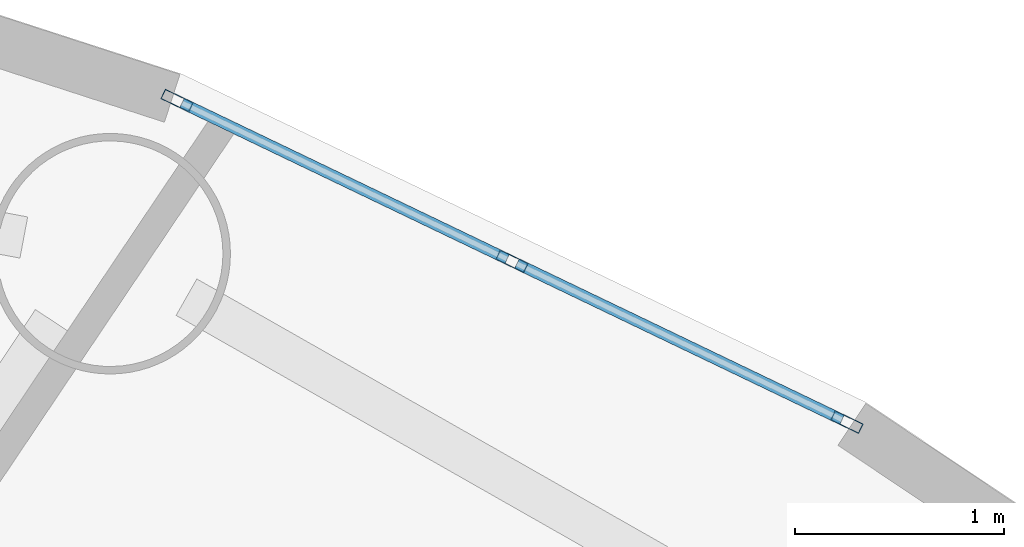
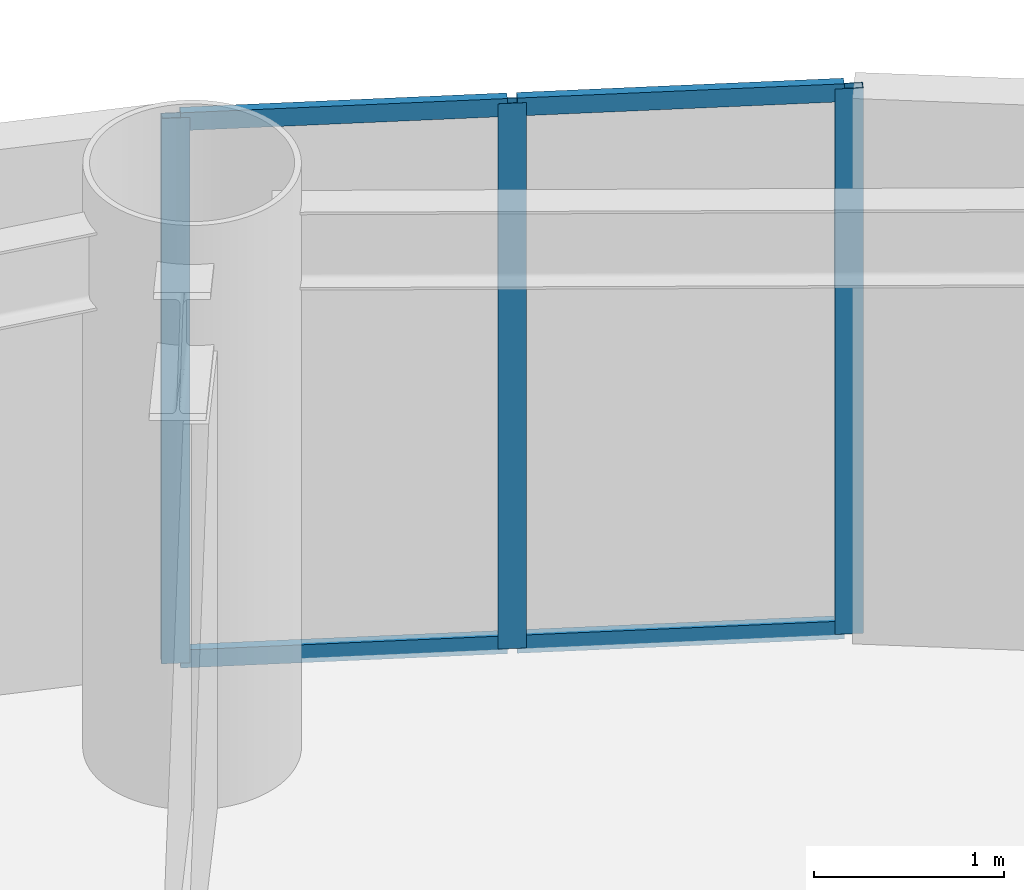
# One storey, part 4 of 16: 7 members, 1 element without a shape of its own.
"""IFC4 building model written with IfcOpenShell, lengths in metres."""

from ifc_helpers import new_model, si_unit, direction, frame, origin, origin_2d, place, context, subcontext, project, spatial, hollow_rectangle, extrude, source, transform, mapped, material, layer, layer_set, material_profile, profile_set, type_object, element, aggregate, save


model = new_model("IFC4")

# Units and contexts
model_context = context("Model", 3, precision=1e-05, world=origin(), true_north=direction((0.0, 1.0)))
body_context = subcontext(model_context, "Body", "Model", "MODEL_VIEW")
ifc_project = project(units=[si_unit("LENGTHUNIT", "METRE"), si_unit("AREAUNIT", "SQUARE_METRE"), si_unit("VOLUMEUNIT", "CUBIC_METRE"), si_unit("PLANEANGLEUNIT", "RADIAN"), si_unit("MASSUNIT", "GRAM", prefix="KILO")], contexts=[model_context])

# Site, building, storey
site_placement = place(None, origin())
site = spatial("IfcSite", under=ifc_project, at=site_placement, CompositionType="ELEMENT")
building_placement = place(site_placement, origin())
building = spatial("IfcBuilding", under=site, at=building_placement, Name="Linh Dai School and Residence Tower", CompositionType="ELEMENT")
storey_placement = place(building_placement, frame((0.0, 0.0, 255.300048828125)))
storey = spatial("IfcBuildingStorey", under=building, at=storey_placement, Name="L63", CompositionType="ELEMENT", Elevation=255.300048828125)

# Curtain wall, members
ifc_material_1 = material(Name="Aluminium Anodised Curtain Wall", Category="aluminium")
ifc_layer = layer(ifc_material_1, 0.14990234375)
ifc_layer_set = layer_set([ifc_layer], Name="Aluminium Anodised Curtain Wall")
curtain_wall_type = type_object("IfcCurtainWallType", Name="CW-SYS-4", PredefinedType="USERDEFINED", material=ifc_layer_set)
curtain_wall_placement = place(storey_placement, origin())
curtain_wall = element("IfcCurtainWall", 1, at=curtain_wall_placement, inside=storey, type_object=curtain_wall_type, Name="L63 CW4 Curtain Wall 07", ObjectType="RIBBON CURTAIN WALL", PredefinedType="USERDEFINED")
ifc_material_2 = material(Name="Aluminium Alloy 6063-T6", Category="aluminium")
ifc_material_profile_1 = material_profile(ifc_material_2, hollow_rectangle(XDim=0.052001953125, YDim=0.14990234375, WallThickness=0.00390625, at=origin_2d()), Name="RHS 150x52x4")
ifc_profile_set_1 = profile_set([ifc_material_profile_1], Name="Aluminium Alloy 6063-T6")
member_type_1 = type_object("IfcMemberType", Name="CW-SYS-4-MUL", PredefinedType="MULLION", material=ifc_profile_set_1)
shared_shape_1 = source(origin(), body_context, "Body", "SweptSolid", [
    extrude(hollow_rectangle(XDim=0.052001953125, YDim=0.14990234375, WallThickness=0.00390625, at=origin_2d()), origin(), (0.0, 0.0, 1.0), 3.5),
])
member_1_placement = place(storey_placement, frame((47.054443359375, 43.895263671875, 0.0), z_axis=(0.0, 0.0, 1.0), x_axis=(0.432593941973, 0.901588864931, 0.0)))
member_1 = element("IfcMember", 2, at=member_1_placement, type_object=member_type_1, Name="CW4 mullion 1", PredefinedType="MULLION", context=body_context, shape_type="MappedRepresentation", body=[
    mapped(shared_shape_1, transform((0.0, 0.0, 0.0), x_axis=(1.0, 0.0, 0.0), y_axis=(0.0, 1.0, 0.0), z_axis=(0.0, 0.0, 1.0), scale=1.0)),
])
member_2_placement = place(storey_placement, frame((48.655517578125, 43.127197265625, 0.0), z_axis=(0.0, 0.0, 1.0), x_axis=(0.432593941973, 0.901588864931, 0.0)))
member_2 = element("IfcMember", 3, at=member_2_placement, type_object=member_type_1, Name="CW4 mullion 2", PredefinedType="MULLION", context=body_context, shape_type="MappedRepresentation", body=[
    mapped(shared_shape_1, transform((0.0, 0.0, 0.0), x_axis=(1.0, 0.0, 0.0), y_axis=(0.0, 1.0, 0.0), z_axis=(0.0, 0.0, 1.0), scale=1.0)),
])
member_3_placement = place(storey_placement, frame((50.256591796875, 42.35888671875, 0.0), z_axis=(0.0, 0.0, 1.0), x_axis=(0.432593941973, 0.901588864931, 0.0)))
member_3 = element("IfcMember", 4, at=member_3_placement, type_object=member_type_1, Name="CW4 mullion 3", PredefinedType="MULLION", context=body_context, shape_type="MappedRepresentation", body=[
    mapped(shared_shape_1, transform((0.0, 0.0, 0.0), x_axis=(1.0, 0.0, 0.0), y_axis=(0.0, 1.0, 0.0), z_axis=(0.0, 0.0, 1.0), scale=1.0)),
])
ifc_material_profile_2 = material_profile(ifc_material_2, hollow_rectangle(XDim=0.052001953125, YDim=0.114990234375, WallThickness=0.00390625, at=origin_2d()), Name="RHS 115x52x4")
ifc_profile_set_2 = profile_set([ifc_material_profile_2], Name="Aluminium Alloy 6063-T6")
member_type_2 = type_object("IfcMemberType", Name="CW-SYS-4-TRN", PredefinedType="USERDEFINED", material=ifc_profile_set_2)
shared_shape_2 = source(origin(), body_context, "Body", "SweptSolid", [
    extrude(hollow_rectangle(XDim=0.052001953125, YDim=0.114990234375, WallThickness=0.00390625, at=origin_2d()), origin(), (0.0, 0.0, 1.0), 1.723876953125),
])
member_4_placement = place(storey_placement, frame((47.077880859375, 43.884033203125, 0.02587890625), z_axis=(0.901615860476, -0.432537674819, 0.0), x_axis=(0.432537674819, 0.901615860476, 0.0)))
member_4 = element("IfcMember", 5, at=member_4_placement, type_object=member_type_2, Name="CW4 transom 1.1", ObjectType="TRANSOM", PredefinedType="USERDEFINED", context=body_context, shape_type="MappedRepresentation", body=[
    mapped(shared_shape_2, transform((0.0, 0.0, 0.0), x_axis=(1.0, 0.0, 0.0), y_axis=(0.0, 1.0, 0.0), z_axis=(0.0, 0.0, 1.0), scale=1.0)),
])
member_5_placement = place(storey_placement, frame((47.077880859375, 43.884033203125, 3.473876953125), z_axis=(0.901615860476, -0.432537674819, 0.0), x_axis=(0.432537674819, 0.901615860476, 0.0)))
member_5 = element("IfcMember", 6, at=member_5_placement, type_object=member_type_2, Name="CW4 transom 1.2", ObjectType="TRANSOM", PredefinedType="USERDEFINED", context=body_context, shape_type="MappedRepresentation", body=[
    mapped(shared_shape_2, transform((0.0, 0.0, 0.0), x_axis=(1.0, 0.0, 0.0), y_axis=(0.0, 1.0, 0.0), z_axis=(0.0, 0.0, 1.0), scale=1.0)),
])
member_6_placement = place(storey_placement, frame((48.678955078125, 43.115966796875, 0.02587890625), z_axis=(0.901560623286, -0.432652796755, 0.0), x_axis=(0.432652796755, 0.901560623286, 0.0)))
member_6 = element("IfcMember", 7, at=member_6_placement, type_object=member_type_2, Name="CW4 transom 2.1", ObjectType="TRANSOM", PredefinedType="USERDEFINED", context=body_context, shape_type="MappedRepresentation", body=[
    mapped(shared_shape_2, transform((0.0, 0.0, 0.0), x_axis=(1.0, 0.0, 0.0), y_axis=(0.0, 1.0, 0.0), z_axis=(0.0, 0.0, 1.0), scale=1.0)),
])
member_7_placement = place(storey_placement, frame((48.678955078125, 43.115966796875, 3.473876953125), z_axis=(0.901560623286, -0.432652796755, 0.0), x_axis=(0.432652796755, 0.901560623286, 0.0)))
member_7 = element("IfcMember", 8, at=member_7_placement, type_object=member_type_2, Name="CW4 transom 2.2", ObjectType="TRANSOM", PredefinedType="USERDEFINED", context=body_context, shape_type="MappedRepresentation", body=[
    mapped(shared_shape_2, transform((0.0, 0.0, 0.0), x_axis=(1.0, 0.0, 0.0), y_axis=(0.0, 1.0, 0.0), z_axis=(0.0, 0.0, 1.0), scale=1.0)),
])
aggregate(curtain_wall, [member_1, member_2, member_3, member_4, member_5, member_6, member_7])

save(model, "model.ifc")
